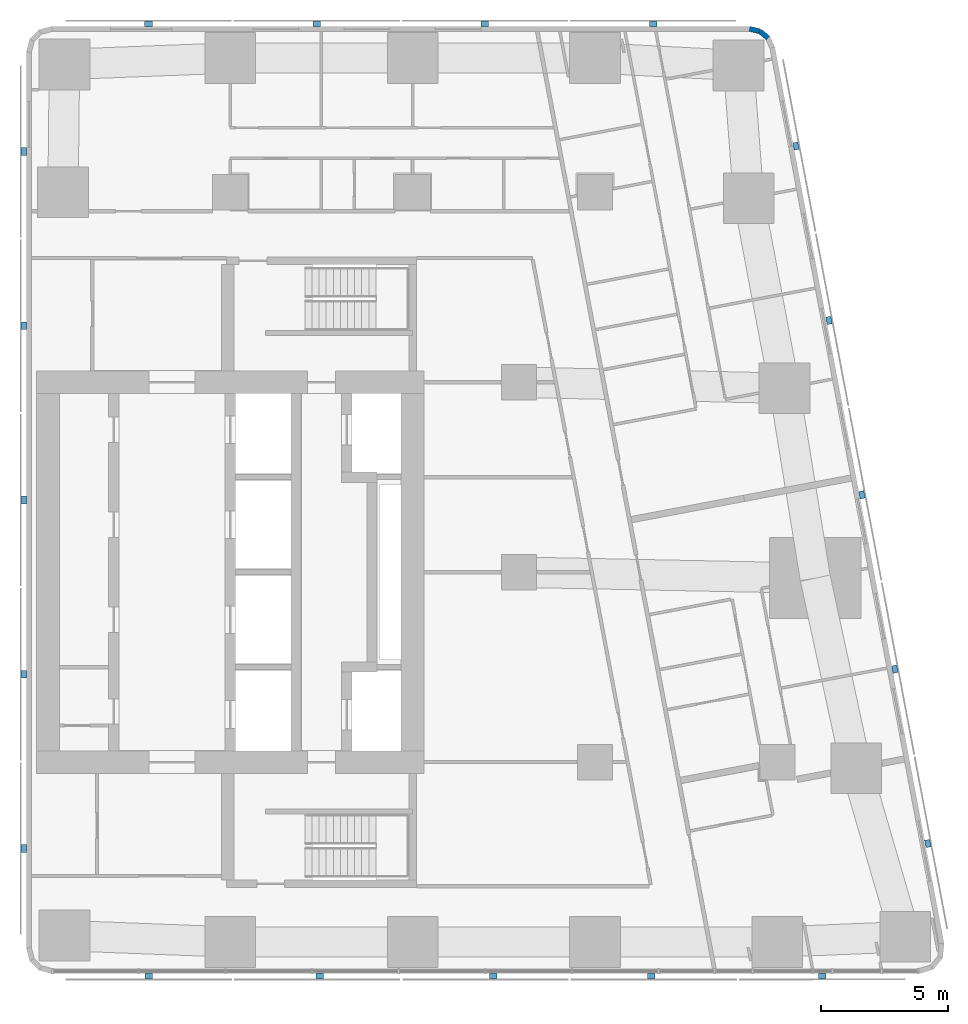
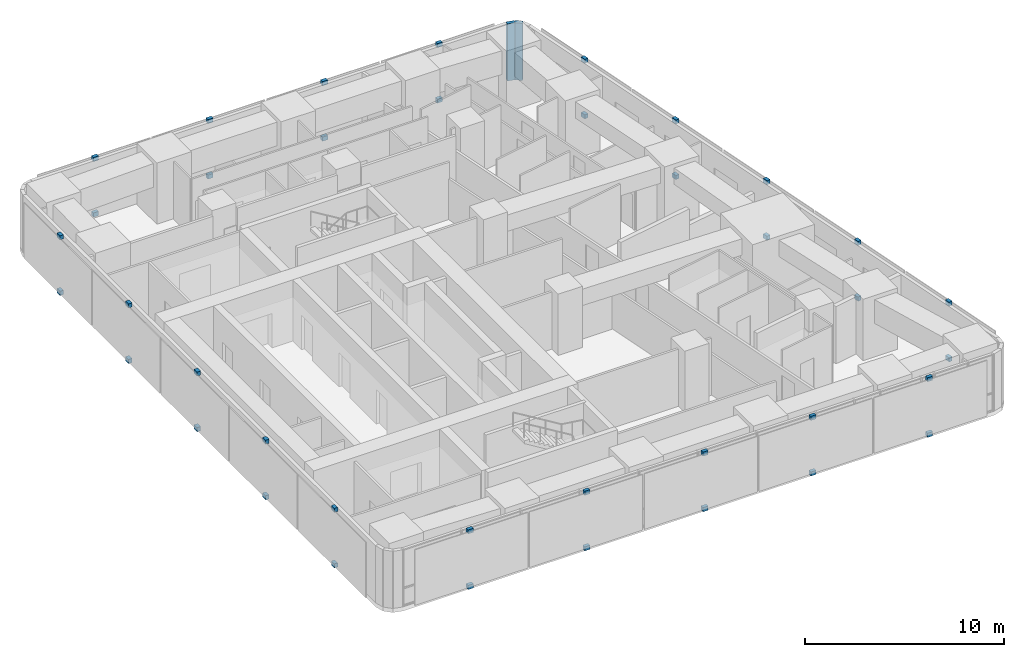
# One storey, part 9 of 11: 38 discrete accessories, 2 walls.
"""IFC4 building model written with IfcOpenShell, lengths in metres."""

from ifc_helpers import new_model, si_unit, direction, frame, frame_2d, origin, origin_2d, place, context, subcontext, project, spatial, rectangle, extrude, material, layer, layer_set, type_object, element, save


model = new_model("IFC4")

# Units and contexts
model_context = context("Model", 3, precision=1e-05, world=origin(), true_north=direction((0.0, 1.0)))
body_context = subcontext(model_context, "Body", "Model", "MODEL_VIEW")
ifc_project = project(units=[si_unit("LENGTHUNIT", "METRE"), si_unit("AREAUNIT", "SQUARE_METRE"), si_unit("VOLUMEUNIT", "CUBIC_METRE"), si_unit("PLANEANGLEUNIT", "RADIAN"), si_unit("MASSUNIT", "GRAM", prefix="KILO")], contexts=[model_context])

# Site, building, storey
site_placement = place(None, origin())
site = spatial("IfcSite", under=ifc_project, at=site_placement, CompositionType="ELEMENT")
building_placement = place(site_placement, origin())
building = spatial("IfcBuilding", under=site, at=building_placement, Name="Sheger Commons Tower", CompositionType="ELEMENT")
storey_placement = place(building_placement, frame((0.0, 0.0, 262.85009765625)))
storey = spatial("IfcBuildingStorey", under=building, at=storey_placement, Name="L67", CompositionType="ELEMENT", Elevation=262.85009765625)

# Walls
ifc_material_1 = material(Name="Rendered concrete block masonry, dark grey", Category="masonry")
ifc_layer = layer(ifc_material_1, 0.199951171875)
ifc_layer_set = layer_set([ifc_layer], Name="FACADE WALL 200")
wall_type = type_object("IfcWallType", Name="FACADE WALL 200", PredefinedType="SOLIDWALL", material=ifc_layer_set)
wall_1_placement = place(storey_placement, frame((42.830078125, 43.592041015625, 0.0), z_axis=(0.0, 0.0, 1.0), x_axis=(-0.771190539797, 0.636604391539, 0.0)))
element("IfcWall", 1, at=wall_1_placement, inside=storey, type_object=wall_type, Name="Facade wall L67", PredefinedType="SOLIDWALL", context=body_context, shape_type="SweptSolid", body=[
    extrude(rectangle(XDim=0.409912109375, YDim=0.199951171875, at=frame_2d((0.205078125, 0.0))), origin(), (0.0, 0.0, 1.0), 3.5),
])
wall_2_placement = place(storey_placement, frame((42.513916015625, 43.85302734375, 0.0), z_axis=(0.0, 0.0, 1.0), x_axis=(-0.973288080424, 0.229587265555, 0.0)))
element("IfcWall", 2, at=wall_2_placement, inside=storey, type_object=wall_type, Name="Facade wall L67", PredefinedType="SOLIDWALL", context=body_context, shape_type="SweptSolid", body=[
    extrude(rectangle(XDim=0.422119140625, YDim=0.199951171875, at=frame_2d((0.2109375, 0.0))), origin(), (0.0, 0.0, 1.0), 3.5),
])

# Discrete accessories
ifc_material_2 = material(Name="Black painted steel bracket", Category="steel")
discrete_accessory_type = type_object("IfcDiscreteAccessoryType", Name="SCREEN BRACKET 300x200x250", PredefinedType="BRACKET", material=ifc_material_2)
for number, where, z_axis, x_axis, name in (
    (3, (18.375, 6.550048828125, -0.10009765625), (0.0, 0.0, 1.0), (1.0, 0.0, 0.0), "Solar screen foot bracket"),
    (4, (18.375, 6.550048828125, 3.2998046875), (0.0, 0.0, 1.0), (1.0, 0.0, 0.0), "Solar screen head bracket"),
    (5, (25.1259765625, 6.550048828125, -0.10009765625), (0.0, 0.0, 1.0), (1.0, 0.0, 0.0), "Solar screen foot bracket"),
    (6, (25.1259765625, 6.550048828125, 3.2998046875), (0.0, 0.0, 1.0), (1.0, 0.0, 0.0), "Solar screen head bracket"),
    (7, (31.97607421875, 6.550048828125, -0.10009765625), (0.0, 0.0, 1.0), (1.0, 0.0, 0.0), "Solar screen foot bracket"),
    (8, (31.97607421875, 6.550048828125, 3.2998046875), (0.0, 0.0, 1.0), (1.0, 0.0, 0.0), "Solar screen head bracket"),
    (9, (38.22607421875, 6.550048828125, -0.10009765625), (0.0, 0.0, 1.0), (1.0, 0.0, 0.0), "Solar screen foot bracket"),
    (10, (38.22607421875, 6.550048828125, 3.2998046875), (0.0, 0.0, 1.0), (1.0, 0.0, 0.0), "Solar screen head bracket"),
    (11, (44.97705078125, 6.550048828125, -0.10009765625), (0.0, 0.0, 1.0), (1.0, 0.0, 0.0), "Solar screen foot bracket"),
    (12, (44.97705078125, 6.550048828125, 3.2998046875), (0.0, 0.0, 1.0), (1.0, 0.0, 0.0), "Solar screen head bracket"),
    (13, (49.139892578125, 11.7880859375, -0.10009765625), (0.0, 0.0, 1.0), (-0.185615165645, 0.982622516678, 0.0), "Solar screen foot bracket"),
    (14, (49.139892578125, 11.7880859375, 3.2998046875), (0.0, 0.0, 1.0), (-0.185615165645, 0.982622516678, 0.0), "Solar screen head bracket"),
    (15, (47.840087890625, 18.6708984375, -0.10009765625), (0.0, 0.0, 1.0), (-0.185615165645, 0.982622516678, 0.0), "Solar screen foot bracket"),
    (16, (47.840087890625, 18.6708984375, 3.2998046875), (0.0, 0.0, 1.0), (-0.185615165645, 0.982622516678, 0.0), "Solar screen head bracket"),
    (17, (46.5400390625, 25.554931640625, -0.10009765625), (0.0, 0.0, 1.0), (-0.185615165645, 0.982622516678, 0.0), "Solar screen foot bracket"),
    (18, (46.5400390625, 25.554931640625, 3.2998046875), (0.0, 0.0, 1.0), (-0.185615165645, 0.982622516678, 0.0), "Solar screen head bracket"),
    (19, (45.239013671875, 32.43798828125, -0.10009765625), (0.0, 0.0, 1.0), (-0.185615165645, 0.982622516678, 0.0), "Solar screen foot bracket"),
    (20, (45.239013671875, 32.43798828125, 3.2998046875), (0.0, 0.0, 1.0), (-0.185615165645, 0.982622516678, 0.0), "Solar screen head bracket"),
    (21, (43.93896484375, 39.322021484375, -0.10009765625), (0.0, 0.0, 1.0), (-0.185615165645, 0.982622516678, 0.0), "Solar screen foot bracket"),
    (22, (43.93896484375, 39.322021484375, 3.2998046875), (0.0, 0.0, 1.0), (-0.185615165645, 0.982622516678, 0.0), "Solar screen head bracket"),
    (23, (38.2939453125, 44.14990234375, -0.10009765625), (0.0, 0.0, 1.0), (-1.0, 0.0, 0.0), "Solar screen foot bracket"),
    (24, (38.2939453125, 44.14990234375, 3.2998046875), (0.0, 0.0, 1.0), (-1.0, 0.0, 0.0), "Solar screen head bracket"),
    (25, (31.653076171875, 44.14990234375, -0.10009765625), (0.0, 0.0, 1.0), (-1.0, 0.0, 0.0), "Solar screen foot bracket"),
    (26, (31.653076171875, 44.14990234375, 3.2998046875), (0.0, 0.0, 1.0), (-1.0, 0.0, 0.0), "Solar screen head bracket"),
    (27, (25.011962890625, 44.14990234375, -0.10009765625), (0.0, 0.0, 1.0), (-1.0, 0.0, 0.0), "Solar screen foot bracket"),
    (28, (25.011962890625, 44.14990234375, 3.2998046875), (0.0, 0.0, 1.0), (-1.0, 0.0, 0.0), "Solar screen head bracket"),
    (29, (18.37109375, 44.14990234375, -0.10009765625), (0.0, 0.0, 1.0), (-1.0, 0.0, 0.0), "Solar screen foot bracket"),
    (30, (18.37109375, 44.14990234375, 3.2998046875), (0.0, 0.0, 1.0), (-1.0, 0.0, 0.0), "Solar screen head bracket"),
    (31, (13.449951171875, 39.110107421875, -0.10009765625), (0.0, 0.0, 1.0), (0.0, -1.0, 0.0), "Solar screen foot bracket"),
    (32, (13.449951171875, 39.110107421875, 3.2998046875), (0.0, 0.0, 1.0), (0.0, -1.0, 0.0), "Solar screen head bracket"),
    (33, (13.449951171875, 32.22998046875, -0.10009765625), (0.0, 0.0, 1.0), (0.0, -1.0, 0.0), "Solar screen foot bracket"),
    (34, (13.449951171875, 32.22998046875, 3.2998046875), (0.0, 0.0, 1.0), (0.0, -1.0, 0.0), "Solar screen head bracket"),
    (35, (13.449951171875, 25.35009765625, -0.10009765625), (0.0, 0.0, 1.0), (0.0, -1.0, 0.0), "Solar screen foot bracket"),
    (36, (13.449951171875, 25.35009765625, 3.2998046875), (0.0, 0.0, 1.0), (0.0, -1.0, 0.0), "Solar screen head bracket"),
    (37, (13.449951171875, 18.469970703125, -0.10009765625), (0.0, 0.0, 1.0), (0.0, -1.0, 0.0), "Solar screen foot bracket"),
    (38, (13.449951171875, 18.469970703125, 3.2998046875), (0.0, 0.0, 1.0), (0.0, -1.0, 0.0), "Solar screen head bracket"),
    (39, (13.449951171875, 11.590087890625, -0.10009765625), (0.0, 0.0, 1.0), (0.0, -1.0, 0.0), "Solar screen foot bracket"),
    (40, (13.449951171875, 11.590087890625, 3.2998046875), (0.0, 0.0, 1.0), (0.0, -1.0, 0.0), "Solar screen head bracket"),
):
    element("IfcDiscreteAccessory", number, at=place(storey_placement, frame(where, z_axis=z_axis, x_axis=x_axis)), inside=storey, type_object=discrete_accessory_type, Name=name, PredefinedType="BRACKET", context=body_context, shape_type="SweptSolid", body=[
        extrude(rectangle(XDim=0.300048828125, YDim=0.199951171875, at=origin_2d()), origin(), (0.0, 0.0, 1.0), 0.25),
    ])

save(model, "model.ifc")
